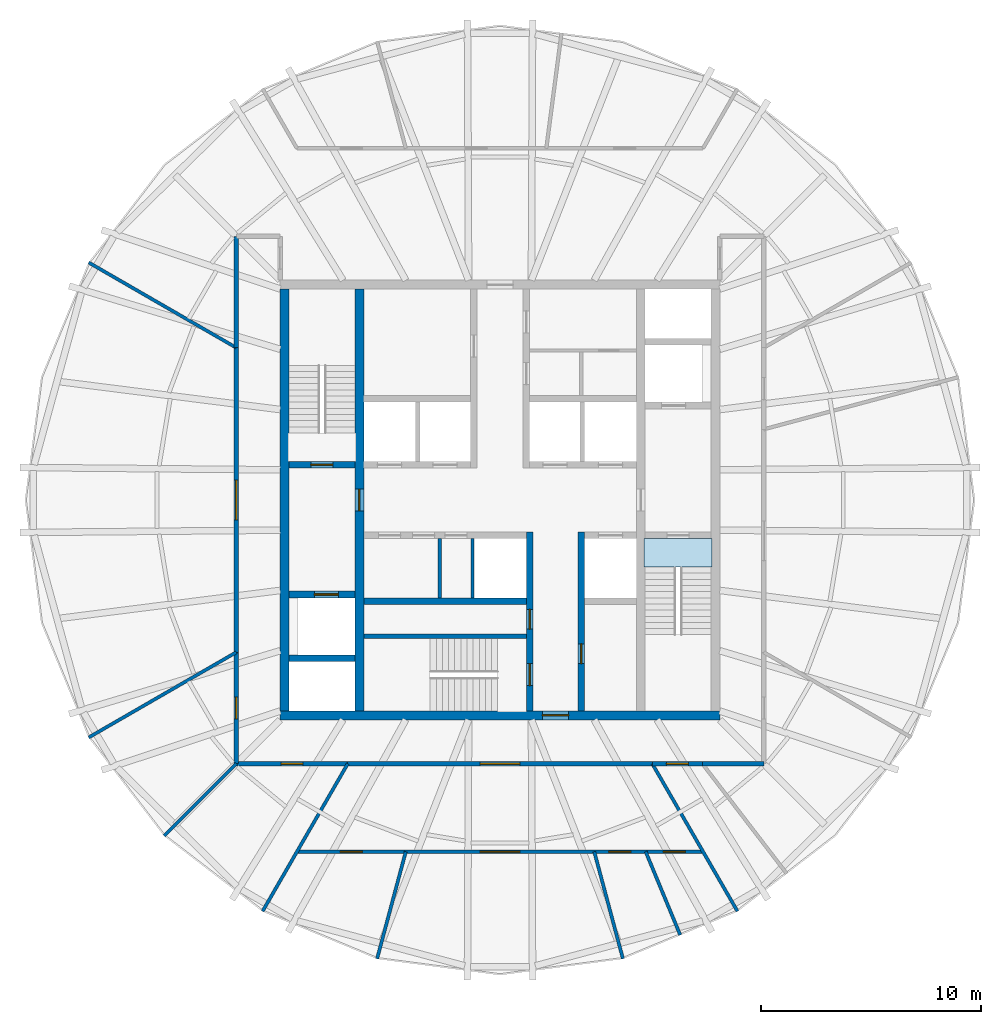
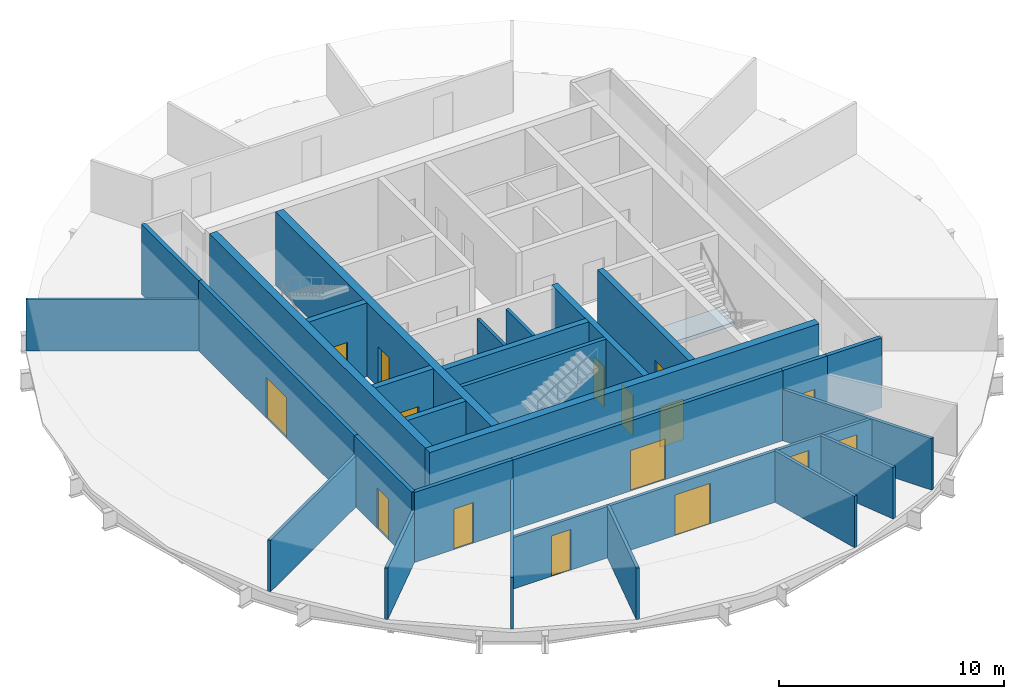
# One storey, part 3 of 6: 28 walls, 16 doors, 1 slab, 16 openings.
"""IFC4 building model written with IfcOpenShell, lengths in metres."""

from ifc_helpers import new_model, si_unit, direction, frame, frame_2d, origin, place, context, subcontext, project, spatial, polyline, rectangle, outline, extrude, material, layer, layer_set, type_object, element, fill, save


model = new_model("IFC4")

# Units and contexts
model_context = context("Model", 3, precision=1e-05, world=origin(), true_north=direction((0.0, 1.0)))
body_context = subcontext(model_context, "Body", "Model", "MODEL_VIEW")
ifc_project = project(units=[si_unit("LENGTHUNIT", "METRE"), si_unit("AREAUNIT", "SQUARE_METRE"), si_unit("VOLUMEUNIT", "CUBIC_METRE"), si_unit("PLANEANGLEUNIT", "RADIAN"), si_unit("MASSUNIT", "GRAM", prefix="KILO")], contexts=[model_context])

# Site, building, storey
site_placement = place(None, origin())
site = spatial("IfcSite", under=ifc_project, at=site_placement, CompositionType="ELEMENT")
building_placement = place(site_placement, origin())
building = spatial("IfcBuilding", under=site, at=building_placement, Name="Golbaran Civic Tower", CompositionType="ELEMENT")
storey_placement = place(building_placement, frame((0.0, 0.0, 276.0)))
storey = spatial("IfcBuildingStorey", under=building, at=storey_placement, Name="L67", CompositionType="ELEMENT", Elevation=276.0)

# Slab
ifc_material_1 = material(Name="Concrete C35/45", Category="concrete")
ifc_layer_1 = layer(ifc_material_1, 0.199951171875, Name="Concrete C35/45")
ifc_layer_set_1 = layer_set([ifc_layer_1], Name="Concrete C35/45")
slab_type = type_object("IfcSlabType", Name="STAIR LANDING 200", PredefinedType="LANDING", material=ifc_layer_set_1)
slab_placement = place(storey_placement, frame((0.0, 0.0, -0.199951171875)))
element("IfcSlab", 1, at=slab_placement, inside=storey, type_object=slab_type, Name="Stair S2 floor landing L67", PredefinedType="LANDING", context=body_context, shape_type="SweptSolid", body=[
    extrude(outline(polyline([(9.64990234375, -1.75), (9.64990234375, -3.054931640625), (6.550048828125, -3.054931640625), (6.550048828125, -1.75), (9.64990234375, -1.75)])), origin(), (0.0, 0.0, 1.0), 0.199951171875),
])

# Walls
ifc_material_2 = material(Name="Concrete block", Category="concrete")
ifc_layer_2 = layer(ifc_material_2, 0.14990234375, Name="Concrete block")
ifc_layer_set_2 = layer_set([ifc_layer_2], Name="Concrete block")
wall_type_1 = type_object("IfcWallType", Name="BLOCKWORK PARTITION 150", PredefinedType="PARTITIONING", material=ifc_layer_set_2)
for number, where, z_axis, x_axis, name in (
    (2, (-2.739990234375, -1.75, 0.0), (0.0, 0.0, 1.0), (0.0, -1.0, 0.0), "Core room partition HP0 L67"),
    (3, (-1.25, -1.75, 0.0), (0.0, 0.0, 1.0), (0.0, -1.0, 0.0), "Lift H3 hoistway west wall L67"),
):
    element("IfcWall", number, at=place(storey_placement, frame(where, z_axis=z_axis, x_axis=x_axis)), inside=storey, type_object=wall_type_1, Name=name, PredefinedType="PARTITIONING", context=body_context, shape_type="SweptSolid", body=[
        extrude(rectangle(XDim=2.699951171875, YDim=0.14990234375, at=frame_2d((1.35009765625, 0.0))), origin(), (0.0, 0.0, 1.0), 3.75),
    ])

# Wall, opening, door
ifc_material_3 = material(Name="Concrete C50/60", Category="concrete")
ifc_layer_3 = layer(ifc_material_3, 0.39990234375, Name="Concrete C50/60")
ifc_layer_set_3 = layer_set([ifc_layer_3], Name="Concrete C50/60")
wall_type_2 = type_object("IfcWallType", Name="CORE WALL CONCRETE 400", PredefinedType="SOLIDWALL", material=ifc_layer_set_3)
wall_1_placement = place(storey_placement, frame((10.0, -9.800048828125, 0.0), z_axis=(0.0, 0.0, 1.0), x_axis=(-1.0, 0.0, 0.0)))
wall_1 = element("IfcWall", 4, at=wall_1_placement, inside=storey, type_object=wall_type_2, Name="Core wall CS L67", PredefinedType="SOLIDWALL", context=body_context, shape_type="SweptSolid", body=[
    extrude(rectangle(XDim=20.0, YDim=0.39990234375, at=frame_2d((10.0, 0.0))), origin(), (0.0, 0.0, 1.0), 4.0),
])
opening_1_placement = place(wall_1_placement, frame((6.875, 0.0, 0.0)))
opening_1 = element("IfcOpeningElement", 5, at=opening_1_placement, cuts=wall_1, Name="Opening L67.CS", PredefinedType="OPENING", context=body_context, shape_type="SweptSolid", body=[
    extrude(rectangle(XDim=1.199951171875, YDim=2.199951171875, at=frame_2d((0.60009765625, 1.10009765625))), frame((0.0, 0.2099609375, 0.0), z_axis=(0.0, -1.0, 0.0), x_axis=(1.0, 0.0, 0.0)), (0.0, 0.0, 1.0), 0.419921875),
])
ifc_material_4 = material(Name="Timber door set in steel frame", Category="steel")
door_type_1 = type_object("IfcDoorType", Name="CORE DOOR 1200x2200", OperationType="DOUBLE_DOOR_SINGLE_SWING", PredefinedType="DOOR", material=ifc_material_4)
door_1_placement = place(opening_1_placement, origin())
door_1 = element("IfcDoor", 6, at=door_1_placement, inside=storey, type_object=door_type_1, Name="Core door south", OperationType="DOUBLE_DOOR_SINGLE_SWING", OverallHeight=2.199951171875, OverallWidth=1.199951171875, PredefinedType="DOOR", context=body_context, shape_type="SweptSolid", body=[
    extrude(rectangle(XDim=1.199951171875, YDim=2.199951171875, at=frame_2d((0.60009765625, 1.10009765625))), frame((0.0, 0.02490234375, 0.0), z_axis=(0.0, -1.0, 0.0), x_axis=(1.0, 0.0, 0.0)), (0.0, 0.0, 1.0), 0.050048828125),
])
fill(opening_1, door_1)

# Wall
wall_2_placement = place(storey_placement, frame((-9.800048828125, 9.60009765625, 0.0), z_axis=(0.0, 0.0, 1.0), x_axis=(0.0, -1.0, 0.0)))
element("IfcWall", 7, at=wall_2_placement, inside=storey, type_object=wall_type_2, Name="Core wall CW L67", PredefinedType="SOLIDWALL", context=body_context, shape_type="SweptSolid", body=[
    extrude(rectangle(XDim=19.2001953125, YDim=0.39990234375, at=frame_2d((9.60009765625, 0.0))), origin(), (0.0, 0.0, 1.0), 4.0),
])

# Wall, opening, door
wall_3_placement = place(storey_placement, frame((-6.39990234375, -9.60009765625, 0.0), z_axis=(0.0, 0.0, 1.0), x_axis=(0.0, 1.0, 0.0)))
wall_3 = element("IfcWall", 8, at=wall_3_placement, inside=storey, type_object=wall_type_2, Name="Core wall IW L67", PredefinedType="SOLIDWALL", context=body_context, shape_type="SweptSolid", body=[
    extrude(rectangle(XDim=19.2001953125, YDim=0.39990234375, at=frame_2d((9.60009765625, 0.0))), origin(), (0.0, 0.0, 1.0), 4.0),
])
opening_2_placement = place(wall_3_placement, frame((9.10009765625, 0.0, 0.0)))
opening_2 = element("IfcOpeningElement", 9, at=opening_2_placement, cuts=wall_3, Name="Opening L67.FL1", PredefinedType="OPENING", context=body_context, shape_type="SweptSolid", body=[
    extrude(rectangle(XDim=1.0, YDim=2.199951171875, at=frame_2d((0.5, 1.10009765625))), frame((0.0, 0.2099609375, 0.0), z_axis=(0.0, -1.0, 0.0), x_axis=(1.0, 0.0, 0.0)), (0.0, 0.0, 1.0), 0.419921875),
])
door_type_2 = type_object("IfcDoorType", Name="STAIR DOOR 1000x2200", OperationType="SINGLE_SWING_LEFT", PredefinedType="DOOR", material=ifc_material_4)
door_2_placement = place(opening_2_placement, origin())
door_2 = element("IfcDoor", 10, at=door_2_placement, inside=storey, type_object=door_type_2, Name="Fire-fighting lobby FL1 door", OperationType="SINGLE_SWING_LEFT", OverallHeight=2.199951171875, OverallWidth=1.0, PredefinedType="DOOR", context=body_context, shape_type="SweptSolid", body=[
    extrude(rectangle(XDim=1.0, YDim=2.199951171875, at=frame_2d((0.5, 1.10009765625))), frame((0.0, 0.02490234375, 0.0), z_axis=(0.0, -1.0, 0.0), x_axis=(1.0, 0.0, 0.0)), (0.0, 0.0, 1.0), 0.050048828125),
])
fill(opening_2, door_2)

# Wall
ifc_material_5 = material(Name="Gypsum board on steel studs, fire-rated", Category="steel")
ifc_layer_4 = layer(ifc_material_5, 0.199951171875, Name="Gypsum board on steel studs, fire-rated")
ifc_layer_set_4 = layer_set([ifc_layer_4], Name="Gypsum board on steel studs, fire-rated")
wall_type_3 = type_object("IfcWallType", Name="CORRIDOR WALL 200", PredefinedType="PARTITIONING", material=ifc_layer_set_4)
wall_4_placement = place(storey_placement, frame((-12.0, 12.0, 0.0), z_axis=(0.0, 0.0, 1.0), x_axis=(0.0, -1.0, 0.0)))
element("IfcWall", 11, at=wall_4_placement, inside=storey, type_object=wall_type_3, Name="Corridor wall L67", PredefinedType="PARTITIONING", context=body_context, shape_type="SweptSolid", body=[
    extrude(rectangle(XDim=5.07177734375, YDim=0.199951171875, at=frame_2d((2.535888671875, 0.0))), origin(), (0.0, 0.0, 1.0), 3.800048828125),
])

# Wall, opening, door
wall_5_placement = place(storey_placement, frame((-12.0, 6.92822265625, 0.0), z_axis=(0.0, 0.0, 1.0), x_axis=(0.0, -1.0, 0.0)))
wall_5 = element("IfcWall", 12, at=wall_5_placement, inside=storey, type_object=wall_type_3, Name="Corridor wall L67", PredefinedType="PARTITIONING", context=body_context, shape_type="SweptSolid", body=[
    extrude(rectangle(XDim=13.8564453125, YDim=0.199951171875, at=frame_2d((6.92822265625, 0.0))), origin(), (0.0, 0.0, 1.0), 3.800048828125),
])
opening_3_placement = place(wall_5_placement, frame((6.0283203125, 0.0, 0.0)))
opening_3 = element("IfcOpeningElement", 13, at=opening_3_placement, cuts=wall_5, Name="Opening L67.10", PredefinedType="OPENING", context=body_context, shape_type="SweptSolid", body=[
    extrude(rectangle(XDim=1.800048828125, YDim=2.199951171875, at=frame_2d((0.89990234375, 1.10009765625))), frame((0.0, 0.10986328125, 0.0), z_axis=(0.0, -1.0, 0.0), x_axis=(1.0, 0.0, 0.0)), (0.0, 0.0, 1.0), 0.219970703125),
])
door_type_3 = type_object("IfcDoorType", Name="OFFICE DOUBLE DOOR 1800x2200", OperationType="DOUBLE_DOOR_SINGLE_SWING", PredefinedType="DOOR", material=ifc_material_4)
door_3_placement = place(opening_3_placement, origin())
door_3 = element("IfcDoor", 14, at=door_3_placement, inside=storey, type_object=door_type_3, Name="Executive Dining Room door L67", OperationType="DOUBLE_DOOR_SINGLE_SWING", OverallHeight=2.199951171875, OverallWidth=1.800048828125, PredefinedType="DOOR", context=body_context, shape_type="SweptSolid", body=[
    extrude(rectangle(XDim=1.800048828125, YDim=2.199951171875, at=frame_2d((0.89990234375, 1.10009765625))), frame((0.0, 0.02490234375, 0.0), z_axis=(0.0, -1.0, 0.0), x_axis=(1.0, 0.0, 0.0)), (0.0, 0.0, 1.0), 0.050048828125),
])
fill(opening_3, door_3)

wall_6_placement = place(storey_placement, frame((-12.0, -6.92822265625, 0.0), z_axis=(0.0, 0.0, 1.0), x_axis=(0.0, -1.0, 0.0)))
wall_6 = element("IfcWall", 15, at=wall_6_placement, inside=storey, type_object=wall_type_3, Name="Corridor wall L67", PredefinedType="PARTITIONING", context=body_context, shape_type="SweptSolid", body=[
    extrude(rectangle(XDim=5.07177734375, YDim=0.199951171875, at=frame_2d((2.535888671875, 0.0))), origin(), (0.0, 0.0, 1.0), 3.800048828125),
])
opening_4_placement = place(wall_6_placement, frame((2.035888671875, 0.0, 0.0)))
opening_4 = element("IfcOpeningElement", 16, at=opening_4_placement, cuts=wall_6, Name="Opening L67.11", PredefinedType="OPENING", context=body_context, shape_type="SweptSolid", body=[
    extrude(rectangle(XDim=1.0, YDim=2.199951171875, at=frame_2d((0.5, 1.10009765625))), frame((0.0, 0.10986328125, 0.0), z_axis=(0.0, -1.0, 0.0), x_axis=(1.0, 0.0, 0.0)), (0.0, 0.0, 1.0), 0.219970703125),
])
door_type_4 = type_object("IfcDoorType", Name="OFFICE DOOR 1000x2200", OperationType="SINGLE_SWING_LEFT", PredefinedType="DOOR", material=ifc_material_4)
door_4_placement = place(opening_4_placement, origin())
door_4 = element("IfcDoor", 17, at=door_4_placement, inside=storey, type_object=door_type_4, Name="Store door L67", OperationType="SINGLE_SWING_RIGHT", OverallHeight=2.199951171875, OverallWidth=1.0, PredefinedType="DOOR", context=body_context, shape_type="SweptSolid", body=[
    extrude(rectangle(XDim=1.0, YDim=2.199951171875, at=frame_2d((0.5, 1.10009765625))), frame((0.0, 0.02490234375, 0.0), z_axis=(0.0, -1.0, 0.0), x_axis=(1.0, 0.0, 0.0)), (0.0, 0.0, 1.0), 0.050048828125),
])
fill(opening_4, door_4)

wall_7_placement = place(storey_placement, frame((-12.0, -12.0, 0.0), z_axis=(0.0, 0.0, 1.0), x_axis=(1.0, 0.0, 0.0)))
wall_7 = element("IfcWall", 18, at=wall_7_placement, inside=storey, type_object=wall_type_3, Name="Corridor wall L67", PredefinedType="PARTITIONING", context=body_context, shape_type="SweptSolid", body=[
    extrude(rectangle(XDim=5.07177734375, YDim=0.199951171875, at=frame_2d((2.535888671875, 0.0))), origin(), (0.0, 0.0, 1.0), 3.800048828125),
])
opening_5_placement = place(wall_7_placement, frame((2.035888671875, 0.0, 0.0)))
opening_5 = element("IfcOpeningElement", 19, at=opening_5_placement, cuts=wall_7, Name="Opening L67.12", PredefinedType="OPENING", context=body_context, shape_type="SweptSolid", body=[
    extrude(rectangle(XDim=1.0, YDim=2.199951171875, at=frame_2d((0.5, 1.10009765625))), frame((0.0, 0.10986328125, 0.0), z_axis=(0.0, -1.0, 0.0), x_axis=(1.0, 0.0, 0.0)), (0.0, 0.0, 1.0), 0.219970703125),
])
door_5_placement = place(opening_5_placement, origin())
door_5 = element("IfcDoor", 20, at=door_5_placement, inside=storey, type_object=door_type_4, Name="Serving Pantry door L67", OperationType="SINGLE_SWING_LEFT", OverallHeight=2.199951171875, OverallWidth=1.0, PredefinedType="DOOR", context=body_context, shape_type="SweptSolid", body=[
    extrude(rectangle(XDim=1.0, YDim=2.199951171875, at=frame_2d((0.5, 1.10009765625))), frame((0.0, 0.02490234375, 0.0), z_axis=(0.0, -1.0, 0.0), x_axis=(1.0, 0.0, 0.0)), (0.0, 0.0, 1.0), 0.050048828125),
])
fill(opening_5, door_5)

wall_8_placement = place(storey_placement, frame((-6.92822265625, -12.0, 0.0), z_axis=(0.0, 0.0, 1.0), x_axis=(1.0, 0.0, 0.0)))
wall_8 = element("IfcWall", 21, at=wall_8_placement, inside=storey, type_object=wall_type_3, Name="Corridor wall L67", PredefinedType="PARTITIONING", context=body_context, shape_type="SweptSolid", body=[
    extrude(rectangle(XDim=13.8564453125, YDim=0.199951171875, at=frame_2d((6.92822265625, 0.0))), origin(), (0.0, 0.0, 1.0), 3.800048828125),
])
opening_6_placement = place(wall_8_placement, frame((6.0283203125, 0.0, 0.0)))
opening_6 = element("IfcOpeningElement", 22, at=opening_6_placement, cuts=wall_8, Name="Opening L67.13", PredefinedType="OPENING", context=body_context, shape_type="SweptSolid", body=[
    extrude(rectangle(XDim=1.800048828125, YDim=2.199951171875, at=frame_2d((0.89990234375, 1.10009765625))), frame((0.0, 0.10986328125, 0.0), z_axis=(0.0, -1.0, 0.0), x_axis=(1.0, 0.0, 0.0)), (0.0, 0.0, 1.0), 0.219970703125),
])
door_6_placement = place(opening_6_placement, origin())
door_6 = element("IfcDoor", 23, at=door_6_placement, inside=storey, type_object=door_type_3, Name="Secretariat door L67", OperationType="DOUBLE_DOOR_SINGLE_SWING", OverallHeight=2.199951171875, OverallWidth=1.800048828125, PredefinedType="DOOR", context=body_context, shape_type="SweptSolid", body=[
    extrude(rectangle(XDim=1.800048828125, YDim=2.199951171875, at=frame_2d((0.89990234375, 1.10009765625))), frame((0.0, 0.02490234375, 0.0), z_axis=(0.0, -1.0, 0.0), x_axis=(1.0, 0.0, 0.0)), (0.0, 0.0, 1.0), 0.050048828125),
])
fill(opening_6, door_6)

wall_9_placement = place(storey_placement, frame((6.92822265625, -12.0, 0.0), z_axis=(0.0, 0.0, 1.0), x_axis=(1.0, 0.0, 0.0)))
wall_9 = element("IfcWall", 24, at=wall_9_placement, inside=storey, type_object=wall_type_3, Name="Corridor wall L67", PredefinedType="PARTITIONING", context=body_context, shape_type="SweptSolid", body=[
    extrude(rectangle(XDim=2.27978515625, YDim=0.199951171875, at=frame_2d((1.139892578125, 0.0))), origin(), (0.0, 0.0, 1.0), 3.800048828125),
])
opening_7_placement = place(wall_9_placement, frame((0.639892578125, 0.0, 0.0)))
opening_7 = element("IfcOpeningElement", 25, at=opening_7_placement, cuts=wall_9, Name="Opening L67.14", PredefinedType="OPENING", context=body_context, shape_type="SweptSolid", body=[
    extrude(rectangle(XDim=1.0, YDim=2.199951171875, at=frame_2d((0.5, 1.10009765625))), frame((0.0, 0.10986328125, 0.0), z_axis=(0.0, -1.0, 0.0), x_axis=(1.0, 0.0, 0.0)), (0.0, 0.0, 1.0), 0.219970703125),
])
door_7_placement = place(opening_7_placement, origin())
door_7 = element("IfcDoor", 26, at=door_7_placement, inside=storey, type_object=door_type_4, Name="Store door L67", OperationType="SINGLE_SWING_LEFT", OverallHeight=2.199951171875, OverallWidth=1.0, PredefinedType="DOOR", context=body_context, shape_type="SweptSolid", body=[
    extrude(rectangle(XDim=1.0, YDim=2.199951171875, at=frame_2d((0.5, 1.10009765625))), frame((0.0, 0.02490234375, 0.0), z_axis=(0.0, -1.0, 0.0), x_axis=(1.0, 0.0, 0.0)), (0.0, 0.0, 1.0), 0.050048828125),
])
fill(opening_7, door_7)

# Walls
wall_10_placement = place(storey_placement, frame((9.2080078125, -12.0, 0.0), z_axis=(0.0, 0.0, 1.0), x_axis=(1.0, 0.0, 0.0)))
element("IfcWall", 27, at=wall_10_placement, inside=storey, type_object=wall_type_3, Name="Corridor wall L67", PredefinedType="PARTITIONING", context=body_context, shape_type="SweptSolid", body=[
    extrude(rectangle(XDim=2.7919921875, YDim=0.199951171875, at=frame_2d((1.39599609375, 0.0))), origin(), (0.0, 0.0, 1.0), 3.800048828125),
])
ifc_material_6 = material(Name="Gypsum board on steel studs", Category="steel")
ifc_layer_5 = layer(ifc_material_6, 0.14990234375, Name="Gypsum board on steel studs")
ifc_layer_set_5 = layer_set([ifc_layer_5], Name="Gypsum board on steel studs")
wall_type_4 = type_object("IfcWallType", Name="OFFICE PARTITION 150", PredefinedType="PARTITIONING", material=ifc_layer_set_5)
for number, where, z_axis, x_axis, name in (
    (28, (-12.0, 6.92822265625, 0.0), (0.0, 0.0, 1.0), (-0.866025099701, 0.500000526688, 0.0), "Partition 150 L67"),
    (29, (-12.0, -6.92822265625, 0.0), (0.0, 0.0, 1.0), (-0.866025099701, -0.500000526688, 0.0), "Partition 210 L67"),
):
    element("IfcWall", number, at=place(storey_placement, frame(where, z_axis=z_axis, x_axis=x_axis)), inside=storey, type_object=wall_type_4, Name=name, PredefinedType="PARTITIONING", context=body_context, shape_type="SweptSolid", body=[
        extrude(rectangle(XDim=7.751953125, YDim=0.14990234375, at=frame_2d((3.8759765625, 0.0))), origin(), (0.0, 0.0, 1.0), 2.7900390625),
    ])
wall_11_placement = place(storey_placement, frame((-12.0, -12.0, 0.0), z_axis=(0.0, 0.0, 1.0), x_axis=(-0.707106781187, -0.707106781187, 0.0)))
element("IfcWall", 30, at=wall_11_placement, inside=storey, type_object=wall_type_4, Name="Partition 225 L67", PredefinedType="PARTITIONING", context=body_context, shape_type="SweptSolid", body=[
    extrude(rectangle(XDim=4.6376953125, YDim=0.14990234375, at=frame_2d((2.31884765625, 0.0))), origin(), (0.0, 0.0, 1.0), 2.7900390625),
])
for number, where, z_axis, x_axis, name in (
    (31, (-6.92822265625, -12.0, 0.0), (0.0, 0.0, 1.0), (-0.500000526688, -0.866025099701, 0.0), "Partition 240 L67"),
    (32, (6.92822265625, -12.0, 0.0), (0.0, 0.0, 1.0), (0.500000526688, -0.866025099701, 0.0), "Partition 300 L67"),
):
    element("IfcWall", number, at=place(storey_placement, frame(where, z_axis=z_axis, x_axis=x_axis)), inside=storey, type_object=wall_type_4, Name=name, PredefinedType="PARTITIONING", context=body_context, shape_type="SweptSolid", body=[
        extrude(rectangle(XDim=7.751953125, YDim=0.14990234375, at=frame_2d((3.8759765625, 0.0))), origin(), (0.0, 0.0, 1.0), 2.7900390625),
    ])

# Wall, openings, doors
wall_12_placement = place(storey_placement, frame((-9.237548828125, -16.0, 0.0), z_axis=(0.0, 0.0, 1.0), x_axis=(1.0, 0.0, 0.0)))
wall_12 = element("IfcWall", 33, at=wall_12_placement, inside=storey, type_object=wall_type_4, Name="Suite partition L67", PredefinedType="PARTITIONING", context=body_context, shape_type="SweptSolid", body=[
    extrude(rectangle(XDim=18.47509765625, YDim=0.14990234375, at=frame_2d((9.237548828125, 0.0))), origin(), (0.0, 0.0, 1.0), 2.7900390625),
])
opening_8_placement = place(wall_12_placement, frame((1.97509765625, 0.0, 0.0)))
opening_8 = element("IfcOpeningElement", 34, at=opening_8_placement, cuts=wall_12, Name="Opening L67.04", PredefinedType="OPENING", context=body_context, shape_type="SweptSolid", body=[
    extrude(rectangle(XDim=1.0, YDim=2.199951171875, at=frame_2d((0.5, 1.10009765625))), frame((0.0, 0.0849609375, 0.0), z_axis=(0.0, -1.0, 0.0), x_axis=(1.0, 0.0, 0.0)), (0.0, 0.0, 1.0), 0.169921875),
])
opening_9_placement = place(wall_12_placement, frame((8.337646484375, 0.0, 0.0)))
opening_9 = element("IfcOpeningElement", 35, at=opening_9_placement, cuts=wall_12, Name="Opening L67.05", PredefinedType="OPENING", context=body_context, shape_type="SweptSolid", body=[
    extrude(rectangle(XDim=1.800048828125, YDim=2.199951171875, at=frame_2d((0.89990234375, 1.10009765625))), frame((0.0, 0.0849609375, 0.0), z_axis=(0.0, -1.0, 0.0), x_axis=(1.0, 0.0, 0.0)), (0.0, 0.0, 1.0), 0.169921875),
])
opening_10_placement = place(wall_12_placement, frame((14.19482421875, 0.0, 0.0)))
opening_10 = element("IfcOpeningElement", 36, at=opening_10_placement, cuts=wall_12, Name="Opening L67.06", PredefinedType="OPENING", context=body_context, shape_type="SweptSolid", body=[
    extrude(rectangle(XDim=1.0, YDim=2.199951171875, at=frame_2d((0.5, 1.10009765625))), frame((0.0, 0.0849609375, 0.0), z_axis=(0.0, -1.0, 0.0), x_axis=(1.0, 0.0, 0.0)), (0.0, 0.0, 1.0), 0.169921875),
])
opening_11_placement = place(wall_12_placement, frame((16.670166015625, 0.0, 0.0)))
opening_11 = element("IfcOpeningElement", 37, at=opening_11_placement, cuts=wall_12, Name="Opening L67.07", PredefinedType="OPENING", context=body_context, shape_type="SweptSolid", body=[
    extrude(rectangle(XDim=1.0, YDim=2.199951171875, at=frame_2d((0.5, 1.10009765625))), frame((0.0, 0.0849609375, 0.0), z_axis=(0.0, -1.0, 0.0), x_axis=(1.0, 0.0, 0.0)), (0.0, 0.0, 1.0), 0.169921875),
])
door_8_placement = place(opening_8_placement, origin())
door_8 = element("IfcDoor", 38, at=door_8_placement, inside=storey, type_object=door_type_4, Name="Director's Office door L67", OperationType="SINGLE_SWING_LEFT", OverallHeight=2.199951171875, OverallWidth=1.0, PredefinedType="DOOR", context=body_context, shape_type="SweptSolid", body=[
    extrude(rectangle(XDim=1.0, YDim=2.199951171875, at=frame_2d((0.5, 1.10009765625))), frame((0.0, 0.02490234375, 0.0), z_axis=(0.0, -1.0, 0.0), x_axis=(1.0, 0.0, 0.0)), (0.0, 0.0, 1.0), 0.050048828125),
])
fill(opening_8, door_8)
door_9_placement = place(opening_10_placement, origin())
door_9 = element("IfcDoor", 39, at=door_9_placement, inside=storey, type_object=door_type_4, Name="Office door L67", OperationType="SINGLE_SWING_RIGHT", OverallHeight=2.199951171875, OverallWidth=1.0, PredefinedType="DOOR", context=body_context, shape_type="SweptSolid", body=[
    extrude(rectangle(XDim=1.0, YDim=2.199951171875, at=frame_2d((0.5, 1.10009765625))), frame((0.0, 0.02490234375, 0.0), z_axis=(0.0, -1.0, 0.0), x_axis=(1.0, 0.0, 0.0)), (0.0, 0.0, 1.0), 0.050048828125),
])
fill(opening_10, door_9)
door_10_placement = place(opening_11_placement, origin())
door_10 = element("IfcDoor", 40, at=door_10_placement, inside=storey, type_object=door_type_4, Name="Assistants' Office door L67", OperationType="SINGLE_SWING_RIGHT", OverallHeight=2.199951171875, OverallWidth=1.0, PredefinedType="DOOR", context=body_context, shape_type="SweptSolid", body=[
    extrude(rectangle(XDim=1.0, YDim=2.199951171875, at=frame_2d((0.5, 1.10009765625))), frame((0.0, 0.02490234375, 0.0), z_axis=(0.0, -1.0, 0.0), x_axis=(1.0, 0.0, 0.0)), (0.0, 0.0, 1.0), 0.050048828125),
])
fill(opening_11, door_10)
door_11_placement = place(opening_9_placement, origin())
door_11 = element("IfcDoor", 41, at=door_11_placement, inside=storey, type_object=door_type_3, Name="Office door L67", OperationType="DOUBLE_DOOR_SINGLE_SWING", OverallHeight=2.199951171875, OverallWidth=1.800048828125, PredefinedType="DOOR", context=body_context, shape_type="SweptSolid", body=[
    extrude(rectangle(XDim=1.800048828125, YDim=2.199951171875, at=frame_2d((0.89990234375, 1.10009765625))), frame((0.0, 0.02490234375, 0.0), z_axis=(0.0, -1.0, 0.0), x_axis=(1.0, 0.0, 0.0)), (0.0, 0.0, 1.0), 0.050048828125),
])
fill(opening_9, door_11)

# Walls
for number, where, z_axis, x_axis, name in (
    (42, (-4.287109375, -16.0, 0.0), (0.0, 0.0, 1.0), (-0.25882238104, -0.965924932421, 0.0), "Partition 255 L67"),
    (43, (4.287109375, -16.0, 0.0), (0.0, 0.0, 1.0), (0.25882238104, -0.965924932421, 0.0), "Partition 285 L67"),
):
    element("IfcWall", number, at=place(storey_placement, frame(where, z_axis=z_axis, x_axis=x_axis)), inside=storey, type_object=wall_type_4, Name=name, PredefinedType="PARTITIONING", context=body_context, shape_type="SweptSolid", body=[
        extrude(rectangle(XDim=5.043701171875, YDim=0.14990234375, at=frame_2d((2.52197265625, 0.0))), origin(), (0.0, 0.0, 1.0), 2.7900390625),
    ])
wall_13_placement = place(storey_placement, frame((6.62744140625, -16.0, 0.0), z_axis=(0.0, 0.0, 1.0), x_axis=(0.382693194178, -0.923875488976, 0.0)))
element("IfcWall", 44, at=wall_13_placement, inside=storey, type_object=wall_type_4, Name="Partition 292.5 L67", PredefinedType="PARTITIONING", context=body_context, shape_type="SweptSolid", body=[
    extrude(rectangle(XDim=4.105224609375, YDim=0.14990234375, at=frame_2d((2.052734375, 0.0))), origin(), (0.0, 0.0, 1.0), 2.7900390625),
])
ifc_layer_6 = layer(ifc_material_3, 0.199951171875, Name="Concrete C50/60")
ifc_layer_set_6 = layer_set([ifc_layer_6], Name="Concrete C50/60")
wall_type_5 = type_object("IfcWallType", Name="SHAFT WALL CONCRETE 200", PredefinedType="SOLIDWALL", material=ifc_layer_set_6)
wall_14_placement = place(storey_placement, frame((-6.199951171875, -6.199951171875, 0.0), z_axis=(0.0, 0.0, 1.0), x_axis=(1.0, 0.0, 0.0)))
element("IfcWall", 45, at=wall_14_placement, inside=storey, type_object=wall_type_5, Name="Core wall S3N L67", PredefinedType="SOLIDWALL", context=body_context, shape_type="SweptSolid", body=[
    extrude(rectangle(XDim=7.39990234375, YDim=0.199951171875, at=frame_2d((3.699951171875, 0.0))), origin(), (0.0, 0.0, 1.0), 4.0),
])
ifc_layer_7 = layer(ifc_material_3, 0.300048828125, Name="Concrete C50/60")
ifc_layer_set_7 = layer_set([ifc_layer_7], Name="Concrete C50/60")
wall_type_6 = type_object("IfcWallType", Name="SHAFT WALL CONCRETE 300", PredefinedType="SOLIDWALL", material=ifc_layer_set_7)
wall_15_placement = place(storey_placement, frame((-6.199951171875, -4.60009765625, 0.0), z_axis=(0.0, 0.0, 1.0), x_axis=(1.0, 0.0, 0.0)))
element("IfcWall", 46, at=wall_15_placement, inside=storey, type_object=wall_type_6, Name="Core wall BSW L67", PredefinedType="SOLIDWALL", context=body_context, shape_type="SweptSolid", body=[
    extrude(rectangle(XDim=7.39990234375, YDim=0.300048828125, at=frame_2d((3.699951171875, 0.0))), origin(), (0.0, 0.0, 1.0), 4.0),
])

# Wall, openings, doors
wall_16_placement = place(storey_placement, frame((1.35009765625, -1.449951171875, 0.0), z_axis=(0.0, 0.0, 1.0), x_axis=(0.0, -1.0, 0.0)))
wall_16 = element("IfcWall", 47, at=wall_16_placement, inside=storey, type_object=wall_type_6, Name="Core wall PSW L67", PredefinedType="SOLIDWALL", context=body_context, shape_type="SweptSolid", body=[
    extrude(rectangle(XDim=8.150146484375, YDim=0.300048828125, at=frame_2d((4.0751953125, 0.0))), origin(), (0.0, 0.0, 1.0), 4.0),
])
opening_12_placement = place(wall_16_placement, frame((6.0, 0.0, 0.0)))
opening_12 = element("IfcOpeningElement", 48, at=opening_12_placement, cuts=wall_16, Name="Opening L67.S3", PredefinedType="OPENING", context=body_context, shape_type="SweptSolid", body=[
    extrude(rectangle(XDim=1.0, YDim=2.199951171875, at=frame_2d((0.5, 1.10009765625))), frame((0.0, 0.159912109375, 0.0), z_axis=(0.0, -1.0, 0.0), x_axis=(1.0, 0.0, 0.0)), (0.0, 0.0, 1.0), 0.320068359375),
])
opening_13_placement = place(wall_16_placement, frame((3.52490234375, 0.0, 0.0)))
opening_13 = element("IfcOpeningElement", 49, at=opening_13_placement, cuts=wall_16, Name="Opening L67.RE", PredefinedType="OPENING", context=body_context, shape_type="SweptSolid", body=[
    extrude(rectangle(XDim=0.89990234375, YDim=2.199951171875, at=frame_2d((0.449951171875, 1.10009765625))), frame((0.0, 0.159912109375, 0.0), z_axis=(0.0, -1.0, 0.0), x_axis=(1.0, 0.0, 0.0)), (0.0, 0.0, 1.0), 0.320068359375),
])
door_type_5 = type_object("IfcDoorType", Name="RISER DOOR 900x2200", OperationType="SINGLE_SWING_LEFT", PredefinedType="DOOR", material=ifc_material_4)
door_12_placement = place(opening_13_placement, origin())
door_12 = element("IfcDoor", 50, at=door_12_placement, inside=storey, type_object=door_type_5, Name="Electrical riser door", OperationType="SINGLE_SWING_LEFT", OverallHeight=2.199951171875, OverallWidth=0.89990234375, PredefinedType="DOOR", context=body_context, shape_type="SweptSolid", body=[
    extrude(rectangle(XDim=0.89990234375, YDim=2.199951171875, at=frame_2d((0.449951171875, 1.10009765625))), frame((0.0, 0.02490234375, 0.0), z_axis=(0.0, -1.0, 0.0), x_axis=(1.0, 0.0, 0.0)), (0.0, 0.0, 1.0), 0.050048828125),
])
fill(opening_13, door_12)
door_13_placement = place(opening_12_placement, origin())
door_13 = element("IfcDoor", 51, at=door_13_placement, inside=storey, type_object=door_type_2, Name="Stair S3 door", OperationType="SINGLE_SWING_RIGHT", OverallHeight=2.199951171875, OverallWidth=1.0, PredefinedType="DOOR", context=body_context, shape_type="SweptSolid", body=[
    extrude(rectangle(XDim=1.0, YDim=2.199951171875, at=frame_2d((0.5, 1.10009765625))), frame((0.0, 0.02490234375, 0.0), z_axis=(0.0, -1.0, 0.0), x_axis=(1.0, 0.0, 0.0)), (0.0, 0.0, 1.0), 0.050048828125),
])
fill(opening_12, door_13)

# Wall, opening, door
wall_17_placement = place(storey_placement, frame((3.699951171875, -1.449951171875, 0.0), z_axis=(0.0, 0.0, 1.0), x_axis=(0.0, -1.0, 0.0)))
wall_17 = element("IfcWall", 52, at=wall_17_placement, inside=storey, type_object=wall_type_6, Name="Core wall PSE L67", PredefinedType="SOLIDWALL", context=body_context, shape_type="SweptSolid", body=[
    extrude(rectangle(XDim=8.150146484375, YDim=0.300048828125, at=frame_2d((4.0751953125, 0.0))), origin(), (0.0, 0.0, 1.0), 4.0),
])
opening_14_placement = place(wall_17_placement, frame((5.10009765625, 0.0, 0.0)))
opening_14 = element("IfcOpeningElement", 53, at=opening_14_placement, cuts=wall_17, Name="Opening L67.RM", PredefinedType="OPENING", context=body_context, shape_type="SweptSolid", body=[
    extrude(rectangle(XDim=0.89990234375, YDim=2.199951171875, at=frame_2d((0.449951171875, 1.10009765625))), frame((0.0, 0.159912109375, 0.0), z_axis=(0.0, -1.0, 0.0), x_axis=(1.0, 0.0, 0.0)), (0.0, 0.0, 1.0), 0.320068359375),
])
door_14_placement = place(opening_14_placement, origin())
door_14 = element("IfcDoor", 54, at=door_14_placement, inside=storey, type_object=door_type_5, Name="Mechanical riser door", OperationType="SINGLE_SWING_RIGHT", OverallHeight=2.199951171875, OverallWidth=0.89990234375, PredefinedType="DOOR", context=body_context, shape_type="SweptSolid", body=[
    extrude(rectangle(XDim=0.89990234375, YDim=2.199951171875, at=frame_2d((0.449951171875, 1.10009765625))), frame((0.0, 0.02490234375, 0.0), z_axis=(0.0, -1.0, 0.0), x_axis=(1.0, 0.0, 0.0)), (0.0, 0.0, 1.0), 0.050048828125),
])
fill(opening_14, door_14)

wall_18_placement = place(storey_placement, frame((-9.60009765625, 1.60009765625, 0.0), z_axis=(0.0, 0.0, 1.0), x_axis=(1.0, 0.0, 0.0)))
wall_18 = element("IfcWall", 55, at=wall_18_placement, inside=storey, type_object=wall_type_6, Name="Core wall XW1 L67", PredefinedType="SOLIDWALL", context=body_context, shape_type="SweptSolid", body=[
    extrude(rectangle(XDim=3.0, YDim=0.300048828125, at=frame_2d((1.5, 0.0))), origin(), (0.0, 0.0, 1.0), 4.0),
])
opening_15_placement = place(wall_18_placement, frame((1.0, 0.0, 0.0)))
opening_15 = element("IfcOpeningElement", 56, at=opening_15_placement, cuts=wall_18, Name="Opening L67.S1", PredefinedType="OPENING", context=body_context, shape_type="SweptSolid", body=[
    extrude(rectangle(XDim=1.0, YDim=2.199951171875, at=frame_2d((0.5, 1.10009765625))), frame((0.0, 0.159912109375, 0.0), z_axis=(0.0, -1.0, 0.0), x_axis=(1.0, 0.0, 0.0)), (0.0, 0.0, 1.0), 0.320068359375),
])
door_15_placement = place(opening_15_placement, origin())
door_15 = element("IfcDoor", 57, at=door_15_placement, inside=storey, type_object=door_type_2, Name="Stair S1 door", OperationType="SINGLE_SWING_LEFT", OverallHeight=2.199951171875, OverallWidth=1.0, PredefinedType="DOOR", context=body_context, shape_type="SweptSolid", body=[
    extrude(rectangle(XDim=1.0, YDim=2.199951171875, at=frame_2d((0.5, 1.10009765625))), frame((0.0, 0.02490234375, 0.0), z_axis=(0.0, -1.0, 0.0), x_axis=(1.0, 0.0, 0.0)), (0.0, 0.0, 1.0), 0.050048828125),
])
fill(opening_15, door_15)

wall_19_placement = place(storey_placement, frame((-9.60009765625, -4.300048828125, 0.0), z_axis=(0.0, 0.0, 1.0), x_axis=(1.0, 0.0, 0.0)))
wall_19 = element("IfcWall", 58, at=wall_19_placement, inside=storey, type_object=wall_type_6, Name="Core wall XW2 L67", PredefinedType="SOLIDWALL", context=body_context, shape_type="SweptSolid", body=[
    extrude(rectangle(XDim=3.0, YDim=0.300048828125, at=frame_2d((1.5, 0.0))), origin(), (0.0, 0.0, 1.0), 4.0),
])
opening_16_placement = place(wall_19_placement, frame((1.14990234375, 0.0, 0.0)))
opening_16 = element("IfcOpeningElement", 59, at=opening_16_placement, cuts=wall_19, Name="Opening L67.LD-F1", PredefinedType="OPENING", context=body_context, shape_type="SweptSolid", body=[
    extrude(rectangle(XDim=1.10009765625, YDim=2.199951171875, at=frame_2d((0.550048828125, 1.10009765625))), frame((0.0, 0.159912109375, 0.0), z_axis=(0.0, -1.0, 0.0), x_axis=(1.0, 0.0, 0.0)), (0.0, 0.0, 1.0), 0.320068359375),
])
ifc_material_7 = material(Name="Stainless steel", Category="steel")
door_type_6 = type_object("IfcDoorType", Name="LIFT LANDING DOOR 1100x2200", OperationType="SLIDING_TO_LEFT", PredefinedType="DOOR", material=ifc_material_7)
door_16_placement = place(opening_16_placement, origin())
door_16 = element("IfcDoor", 60, at=door_16_placement, inside=storey, type_object=door_type_6, Name="Lift landing door F1", OperationType="SLIDING_TO_LEFT", OverallHeight=2.199951171875, OverallWidth=1.10009765625, PredefinedType="DOOR", context=body_context, shape_type="SweptSolid", body=[
    extrude(rectangle(XDim=1.10009765625, YDim=2.199951171875, at=frame_2d((0.550048828125, 1.10009765625))), frame((0.0, 0.02490234375, 0.0), z_axis=(0.0, -1.0, 0.0), x_axis=(1.0, 0.0, 0.0)), (0.0, 0.0, 1.0), 0.050048828125),
])
fill(opening_16, door_16)

# Wall
wall_20_placement = place(storey_placement, frame((-9.60009765625, -7.199951171875, 0.0), z_axis=(0.0, 0.0, 1.0), x_axis=(1.0, 0.0, 0.0)))
element("IfcWall", 61, at=wall_20_placement, inside=storey, type_object=wall_type_6, Name="Core wall XW3 L67", PredefinedType="SOLIDWALL", context=body_context, shape_type="SweptSolid", body=[
    extrude(rectangle(XDim=3.0, YDim=0.300048828125, at=frame_2d((1.5, 0.0))), origin(), (0.0, 0.0, 1.0), 4.0),
])

save(model, "model.ifc")
